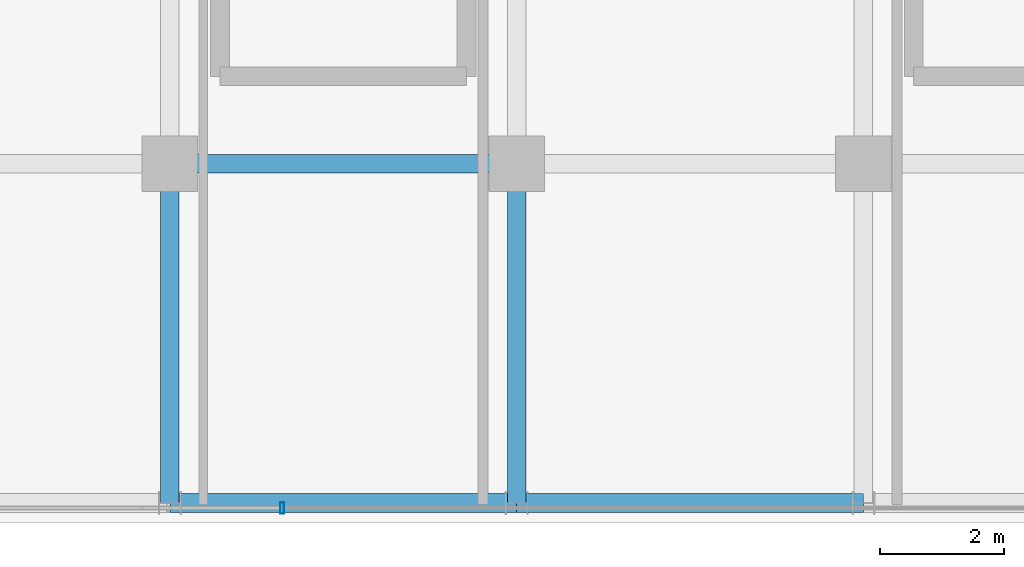
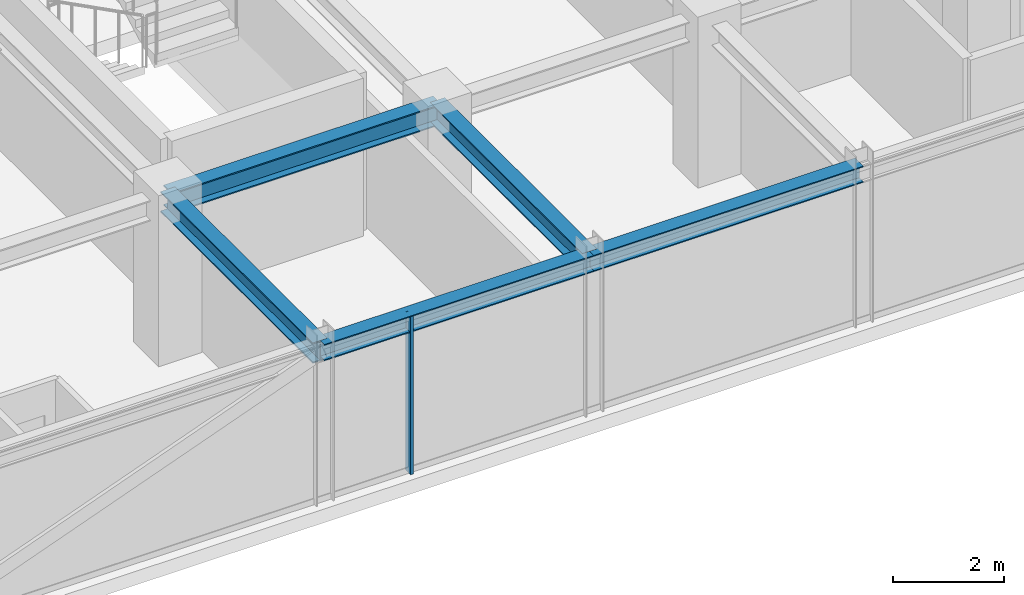
# One storey, part 6 of 34: 5 beams, 1 member, 1 element without a shape of its own.
"""IFC4 building model written with IfcOpenShell, lengths in metres."""

from ifc_helpers import new_model, si_unit, direction, frame, origin, origin_2d, place, context, subcontext, project, spatial, hollow_rectangle, i_section, extrude, source, transform, mapped, material, material_profile, profile_set, type_object, element, aggregate, save


model = new_model("IFC4")

# Units and contexts
model_context = context("Model", 3, precision=1e-05, world=origin(), true_north=direction((0.0, 1.0)))
body_context = subcontext(model_context, "Body", "Model", "MODEL_VIEW")
ifc_project = project(units=[si_unit("LENGTHUNIT", "METRE"), si_unit("AREAUNIT", "SQUARE_METRE"), si_unit("VOLUMEUNIT", "CUBIC_METRE"), si_unit("PLANEANGLEUNIT", "RADIAN"), si_unit("MASSUNIT", "GRAM", prefix="KILO")], contexts=[model_context])

# Site, building, storey
site_placement = place(None, origin())
site = spatial("IfcSite", under=ifc_project, at=site_placement, CompositionType="ELEMENT")
building_placement = place(site_placement, origin())
building = spatial("IfcBuilding", under=site, at=building_placement, Name="Nahalor Promenade Grand Hotel", CompositionType="ELEMENT")
storey_placement = place(building_placement, frame((0.0, 0.0, 334.75)))
storey = spatial("IfcBuildingStorey", under=building, at=storey_placement, Name="L86", CompositionType="ELEMENT", Elevation=334.75)

# Beams
ifc_material_1 = material(Name="Steel S355JR", Category="steel")
ifc_material_profile_1 = material_profile(ifc_material_1, i_section(OverallWidth=0.3, OverallDepth=0.45, WebThickness=0.014, FlangeThickness=0.026, at=origin_2d()), Name="HEB 450")
ifc_profile_set_1 = profile_set([ifc_material_profile_1], Name="Steel S355JR")
beam_type_1 = type_object("IfcBeamType", Name="Beam-Girder-HEB450", PredefinedType="BEAM", material=ifc_profile_set_1)
shared_shape_1 = source(origin(), body_context, "Body", "SweptSolid", [
    extrude(i_section(OverallWidth=0.3, OverallDepth=0.45, WebThickness=0.014, FlangeThickness=0.026, at=origin_2d()), origin(), (0.0, 0.0, 1.0), 5.599853515625),
])
beam_1_placement = place(storey_placement, frame((-8.39990234375, -17.0, 3.2451171875), z_axis=(1.0, 0.0, 0.0), x_axis=(0.0, 1.0, 0.0)))
element("IfcBeam", 1, at=beam_1_placement, inside=storey, type_object=beam_type_1, Name="BM-L86-GX-0-2", PredefinedType="BEAM", context=body_context, shape_type="MappedRepresentation", body=[
    mapped(shared_shape_1, transform((0.0, 0.0, 0.0), scale=1.0)),
])
shared_shape_2 = source(origin(), body_context, "Body", "SweptSolid", [
    extrude(i_section(OverallWidth=0.3, OverallDepth=0.45, WebThickness=0.014, FlangeThickness=0.026, at=origin_2d()), origin(), (0.0, 0.0, 1.0), 5.47998046875),
])
for number, where, z_axis, x_axis, name in (
    (2, (-8.39990234375, -22.47998046875, 3.2451171875), (0.0, 1.0, 0.0), (-1.0, 0.0, 0.0), "BM-L86-GY-1-0"),
    (3, (-2.800048828125, -22.47998046875, 3.2451171875), (0.0, 1.0, 0.0), (-1.0, 0.0, 0.0), "BM-L86-GY-2-0"),
):
    element("IfcBeam", number, at=place(storey_placement, frame(where, z_axis=z_axis, x_axis=x_axis)), inside=storey, type_object=beam_type_1, Name=name, PredefinedType="BEAM", context=body_context, shape_type="MappedRepresentation", body=[
        mapped(shared_shape_2, transform((0.0, 0.0, 0.0), scale=1.0)),
    ])
ifc_material_profile_2 = material_profile(ifc_material_1, i_section(OverallWidth=0.3, OverallDepth=0.36, WebThickness=0.0125, FlangeThickness=0.0225, at=origin_2d()), Name="HEB 360")
ifc_profile_set_2 = profile_set([ifc_material_profile_2], Name="Steel S355JR")
beam_type_2 = type_object("IfcBeamType", Name="Beam-Spandrel-HEB360", PredefinedType="SPANDREL", material=ifc_profile_set_2)
shared_shape_3 = source(origin(), body_context, "Body", "SweptSolid", [
    extrude(i_section(OverallWidth=0.3, OverallDepth=0.36, WebThickness=0.0125, FlangeThickness=0.0225, at=origin_2d()), origin(), (0.0, 0.0, 1.0), 5.599853515625),
])
beam_2_placement = place(storey_placement, frame((-8.39990234375, -22.47998046875, 3.2900390625), z_axis=(1.0, 0.0, 0.0), x_axis=(0.0, 1.0, 0.0)))
element("IfcBeam", 4, at=beam_2_placement, inside=storey, type_object=beam_type_2, Name="BM-L86-SP-S-1", PredefinedType="SPANDREL", context=body_context, shape_type="MappedRepresentation", body=[
    mapped(shared_shape_3, transform((0.0, 0.0, 0.0), scale=1.0)),
])
shared_shape_4 = source(origin(), body_context, "Body", "SweptSolid", [
    extrude(i_section(OverallWidth=0.3, OverallDepth=0.36, WebThickness=0.0125, FlangeThickness=0.0225, at=origin_2d()), origin(), (0.0, 0.0, 1.0), 5.60009765625),
])
beam_3_placement = place(storey_placement, frame((-2.800048828125, -22.47998046875, 3.2900390625), z_axis=(1.0, 0.0, 0.0), x_axis=(0.0, 1.0, 0.0)))
element("IfcBeam", 5, at=beam_3_placement, inside=storey, type_object=beam_type_2, Name="BM-L86-SP-S-2", PredefinedType="SPANDREL", context=body_context, shape_type="MappedRepresentation", body=[
    mapped(shared_shape_4, transform((0.0, 0.0, 0.0), scale=1.0)),
])

# Curtain wall, member
ifc_material_2 = material(Name="Anodised Bronze Aluminium EN AW-6063 T6", Category="aluminium")
curtain_wall_type = type_object("IfcCurtainWallType", Name="CW2 Typical Hotel Flush Bronze Unitised Curtain Wall", PredefinedType="USERDEFINED", material=ifc_material_2)
curtain_wall_placement = place(storey_placement, origin())
curtain_wall = element("IfcCurtainWall", 6, at=curtain_wall_placement, inside=storey, type_object=curtain_wall_type, Name="L86 Curtain Wall CW-L86-S-1", ObjectType="UNITISED_CURTAIN_WALL", PredefinedType="USERDEFINED")
ifc_material_profile_3 = material_profile(ifc_material_2, hollow_rectangle(XDim=0.065, YDim=0.18, WallThickness=0.004, at=origin_2d()), Name="CWM 65x180x4")
ifc_profile_set_3 = profile_set([ifc_material_profile_3], Name="Anodised Bronze Aluminium EN AW-6063 T6")
member_type = type_object("IfcMemberType", Name="CWM2 Typical Bronze Mullion 65x180", PredefinedType="MULLION", material=ifc_profile_set_3)
shared_shape_5 = source(origin(), body_context, "Body", "SweptSolid", [
    extrude(hollow_rectangle(XDim=0.065, YDim=0.18, WallThickness=0.004, at=origin_2d()), origin(), (0.0, 0.0, 1.0), 3.469970703125),
])
member_placement = place(storey_placement, frame((-6.586669921875, -22.56005859375, 0.0), z_axis=(0.0, 0.0, 1.0), x_axis=(1.0, 0.0, 0.0)))
member = element("IfcMember", 7, at=member_placement, type_object=member_type, Name="CW-L86-S-1 Mullion 1", PredefinedType="MULLION", context=body_context, shape_type="MappedRepresentation", body=[
    mapped(shared_shape_5, transform((0.0, 0.0, 0.0), scale=1.0)),
])
aggregate(curtain_wall, [member])

save(model, "model.ifc")
